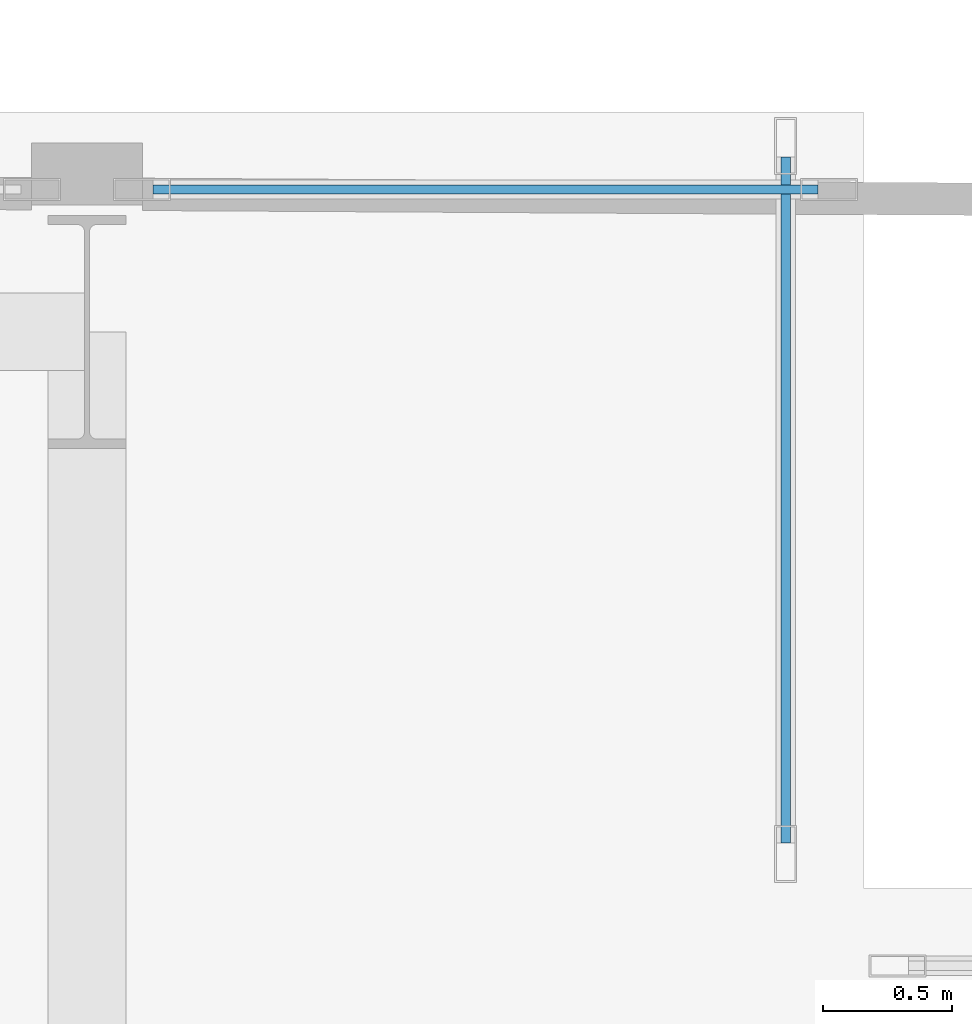
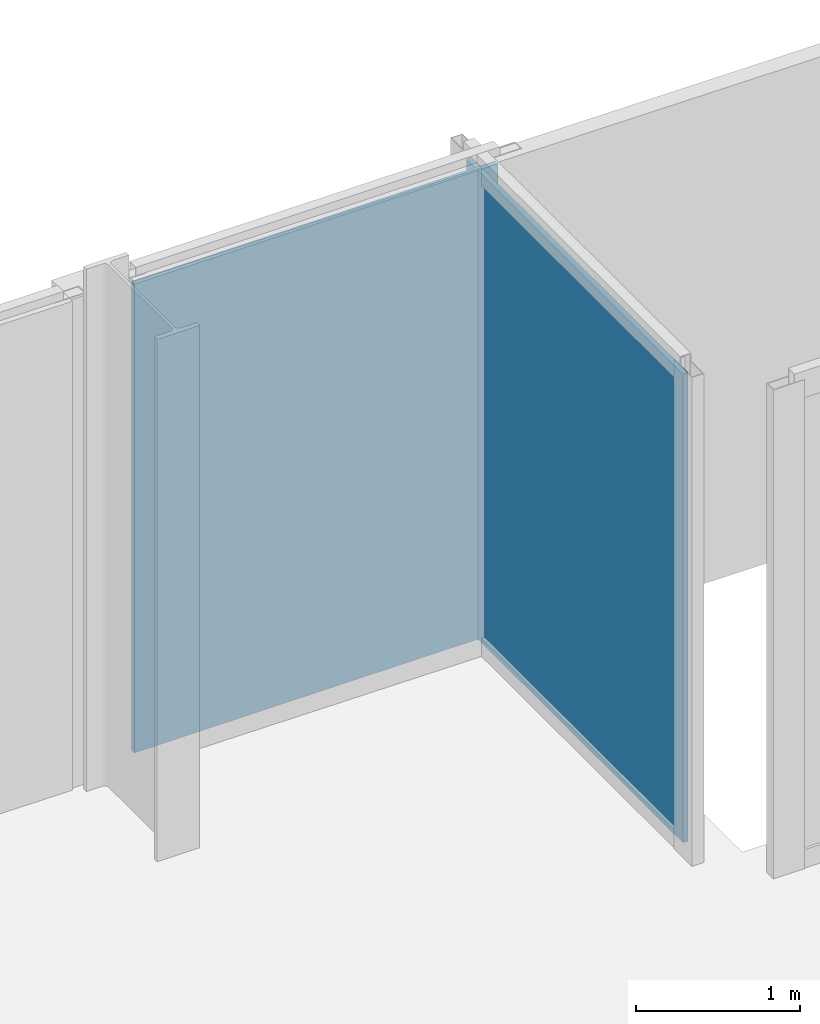
# One storey, part 18 of 27: 2 plates, 2 elements without a shape of their own.
"""IFC4 building model written with IfcOpenShell, lengths in metres."""

from ifc_helpers import new_model, si_unit, direction, frame, origin, origin_2d, place, context, subcontext, project, spatial, rectangle, extrude, material, layer, layer_set, type_object, element, aggregate, save


model = new_model("IFC4")

# Units and contexts
model_context = context("Model", 3, precision=1e-05, world=origin(), true_north=direction((0.0, 1.0)))
body_context = subcontext(model_context, "Body", "Model", "MODEL_VIEW")
ifc_project = project(units=[si_unit("LENGTHUNIT", "METRE"), si_unit("AREAUNIT", "SQUARE_METRE"), si_unit("VOLUMEUNIT", "CUBIC_METRE"), si_unit("PLANEANGLEUNIT", "RADIAN"), si_unit("MASSUNIT", "GRAM", prefix="KILO"), si_unit("THERMODYNAMICTEMPERATUREUNIT", "KELVIN"), si_unit("POWERUNIT", "WATT")], contexts=[model_context])

# Site, building, storey
site_placement = place(None, origin())
site = spatial("IfcSite", under=ifc_project, at=site_placement, CompositionType="ELEMENT")
building_placement = place(site_placement, origin())
building = spatial("IfcBuilding", under=site, at=building_placement, Name="Svarakhadi Broadcast Tower", CompositionType="ELEMENT")
storey_placement = place(building_placement, frame((0.0, 0.0, 44.10009765625)))
storey = spatial("IfcBuildingStorey", under=building, at=storey_placement, Name="L09", CompositionType="ELEMENT", Elevation=44.10009765625)

# Curtain wall, plate
ifc_material_1 = material(Name="Anodised Bronze Aluminium AA 6063-T6", Category="aluminium")
ifc_layer_1 = layer(ifc_material_1, 0.219970703125)
ifc_layer_set_1 = layer_set([ifc_layer_1], Name="Anodised Bronze Aluminium AA 6063-T6")
curtain_wall_type = type_object("IfcCurtainWallType", Name="CW_Sys_02", PredefinedType="NOTDEFINED", material=ifc_layer_set_1)
curtain_wall_1_placement = place(storey_placement, origin())
curtain_wall_1 = element("IfcCurtainWall", 1, at=curtain_wall_1_placement, inside=storey, type_object=curtain_wall_type, Name="L09 Unitised Facade Curtain Wall 06 Bay 4", PredefinedType="NOTDEFINED")
ifc_material_2 = material(Name="Double Low-E Laminated Acoustic Glass IGU 36 mm", Category="glass")
ifc_layer_2 = layer(ifc_material_2, 0.035888671875)
ifc_layer_set_2 = layer_set([ifc_layer_2], Name="Double Low-E Laminated Acoustic Glass IGU 36 mm")
plate_type = type_object("IfcPlateType", Name="CW_Sys_02_Pnl", PredefinedType="CURTAIN_PANEL", material=ifc_layer_set_2)
plate_1_placement = place(storey_placement, frame((19.5400390625, 47.699951171875, 0.074951171875), z_axis=(0.0, 0.0, 1.0), x_axis=(1.0, 0.0, 0.0)))
plate_1 = element("IfcPlate", 2, at=plate_1_placement, type_object=plate_type, Name="CW-02 panel 1.1", PredefinedType="CURTAIN_PANEL", context=body_context, shape_type="SweptSolid", body=[
    extrude(rectangle(XDim=2.570068359375, YDim=0.035888671875, at=origin_2d()), origin(), (0.0, 0.0, 1.0), 3.5),
])
aggregate(curtain_wall_1, [plate_1])

curtain_wall_2_placement = place(storey_placement, origin())
curtain_wall_2 = element("IfcCurtainWall", 3, at=curtain_wall_2_placement, inside=storey, type_object=curtain_wall_type, Name="L09 Unitised Facade Curtain Wall 07", PredefinedType="NOTDEFINED")
plate_2_placement = place(storey_placement, frame((20.699951171875, 46.5, 0.074951171875), z_axis=(0.0, 0.0, 1.0), x_axis=(0.0, -1.0, 0.0)))
plate_2 = element("IfcPlate", 4, at=plate_2_placement, type_object=plate_type, Name="CW-02 panel 1.1", PredefinedType="CURTAIN_PANEL", context=body_context, shape_type="SweptSolid", body=[
    extrude(rectangle(XDim=2.64990234375, YDim=0.035888671875, at=origin_2d()), origin(), (0.0, 0.0, 1.0), 3.5),
])
aggregate(curtain_wall_2, [plate_2])

save(model, "model.ifc")
